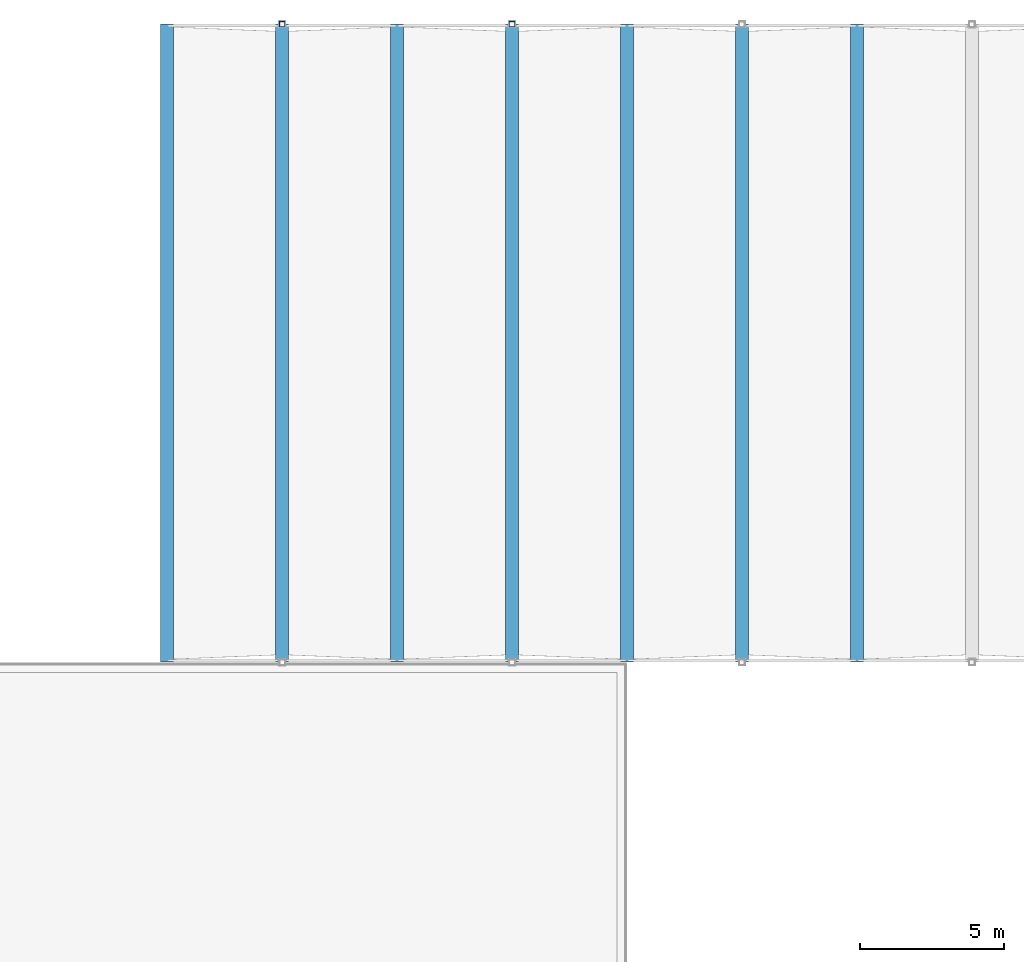
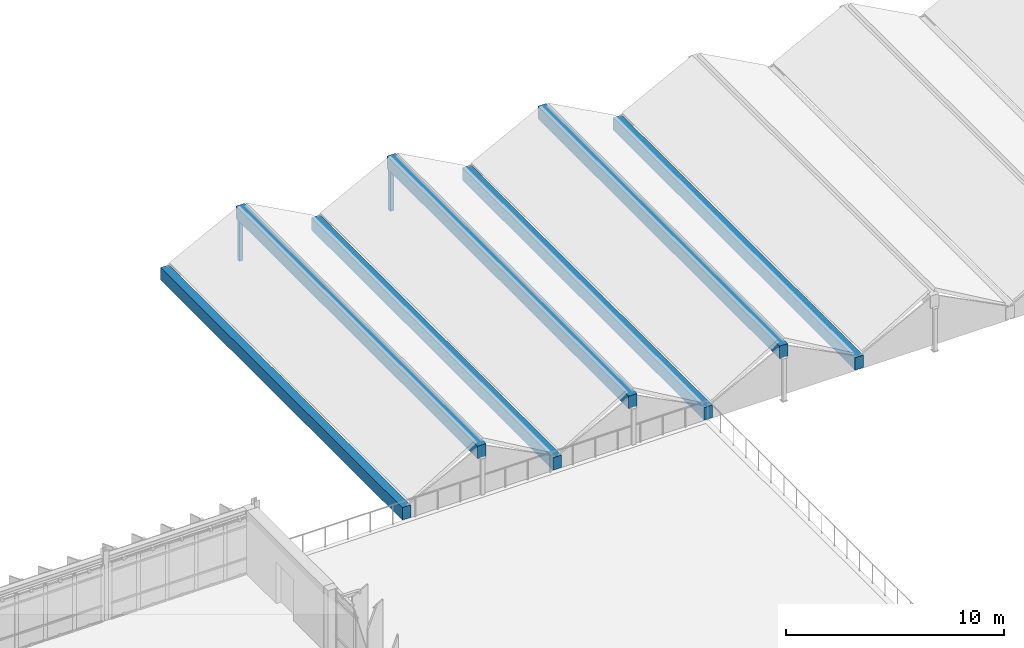
# One storey, part 16 of 35: 7 beams, 2 members.
"""IFC4 building model written with IfcOpenShell, lengths in metres."""

from ifc_helpers import new_model, si_unit, direction, frame, origin, origin_2d, place, context, subcontext, project, spatial, rectangle, hollow_rectangle, extrude, material, material_profile, profile_set, type_object, element, save


model = new_model("IFC4")

# Units and contexts
model_context = context("Model", 3, precision=1e-05, world=origin(), true_north=direction((0.0, 1.0)))
body_context = subcontext(model_context, "Body", "Model", "MODEL_VIEW")
ifc_project = project(units=[si_unit("LENGTHUNIT", "METRE"), si_unit("AREAUNIT", "SQUARE_METRE"), si_unit("VOLUMEUNIT", "CUBIC_METRE"), si_unit("PLANEANGLEUNIT", "RADIAN"), si_unit("MASSUNIT", "GRAM", prefix="KILO")], contexts=[model_context])

# Site, building, storey
site_placement = place(None, origin())
site = spatial("IfcSite", under=ifc_project, at=site_placement, CompositionType="ELEMENT")
building_placement = place(site_placement, origin())
building = spatial("IfcBuilding", under=site, at=building_placement, Name="Valkorina Park Police Headquarters", CompositionType="ELEMENT")
storey_placement = place(building_placement, frame((0.0, 0.0, 27.199951171875)))
storey = spatial("IfcBuildingStorey", under=building, at=storey_placement, Name="L07", CompositionType="ELEMENT", Elevation=27.199951171875)

# Beams
ifc_material_1 = material(Name="Concrete C40/50", Category="concrete")
ifc_material_profile_1 = material_profile(ifc_material_1, rectangle(XDim=0.449951171875, YDim=0.699951171875, at=origin_2d()), Name="RC RIDGE 450x700")
ifc_profile_set_1 = profile_set([ifc_material_profile_1], Name="Concrete C40/50")
beam_type = type_object("IfcBeamType", Name="BM-RC-RIDGE-EXT", PredefinedType="BEAM", material=ifc_profile_set_1)
for number, where, z_axis, x_axis, name in (
    (1, (84.800048828125, 59.199951171875, 2.393798828125), (0.0, 1.0, 0.0), (-1.0, 0.0, 0.0), "V2 Command Hall Folded-Plate Ridge Beam 1"),
    (2, (80.800048828125, 59.199951171875, 0.35009765625), (0.0, 1.0, 0.0), (-1.0, 0.0, 0.0), "V2 Command Hall Folded-Plate Valley Beam 1.1"),
    (3, (92.800048828125, 59.199951171875, 2.393798828125), (0.0, 1.0, 0.0), (-1.0, 0.0, 0.0), "V2 Command Hall Folded-Plate Ridge Beam 2"),
    (4, (88.800048828125, 59.199951171875, 0.35009765625), (0.0, 1.0, 0.0), (-1.0, 0.0, 0.0), "V2 Command Hall Folded-Plate Valley Beam 2.1"),
    (5, (100.800048828125, 59.199951171875, 2.393798828125), (0.0, 1.0, 0.0), (-1.0, 0.0, 0.0), "V2 Command Hall Folded-Plate Ridge Beam 3"),
    (6, (96.800048828125, 59.199951171875, 0.35009765625), (0.0, 1.0, 0.0), (-1.0, 0.0, 0.0), "V2 Command Hall Folded-Plate Valley Beam 3.1"),
    (7, (104.800048828125, 59.199951171875, 0.35009765625), (0.0, 1.0, 0.0), (-1.0, 0.0, 0.0), "V2 Command Hall Folded-Plate Valley Beam 4.1"),
):
    element("IfcBeam", number, at=place(storey_placement, frame(where, z_axis=z_axis, x_axis=x_axis)), inside=storey, type_object=beam_type, Name=name, PredefinedType="BEAM", context=body_context, shape_type="SweptSolid", body=[
        extrude(rectangle(XDim=0.449951171875, YDim=0.699951171875, at=origin_2d()), origin(), (0.0, 0.0, 1.0), 22.199951171875),
    ])

# Members
ifc_material_2 = material(Name="Steel S355", Category="steel")
ifc_material_profile_2 = material_profile(ifc_material_2, hollow_rectangle(XDim=0.199951171875, YDim=0.199951171875, WallThickness=0.012451171875, at=origin_2d()), Name="SHS 200x200x12.5")
ifc_profile_set_2 = profile_set([ifc_material_profile_2], Name="Steel S355")
member_type = type_object("IfcMemberType", Name="MB-S355-SHS200-GABLE", PredefinedType="BRACE", material=ifc_profile_set_2)
for number, where, z_axis, x_axis, name in (
    (8, (84.800048828125, 81.39990234375, -0.349853515625), (0.0, 0.0, 1.0), (1.0, 0.0, 0.0), "V2 Gable Ridge Strut 1N"),
    (9, (92.800048828125, 81.39990234375, -0.349853515625), (0.0, 0.0, 1.0), (1.0, 0.0, 0.0), "V2 Gable Ridge Strut 2N"),
):
    element("IfcMember", number, at=place(storey_placement, frame(where, z_axis=z_axis, x_axis=x_axis)), inside=storey, type_object=member_type, Name=name, PredefinedType="BRACE", context=body_context, shape_type="SweptSolid", body=[
        extrude(hollow_rectangle(XDim=0.199951171875, YDim=0.199951171875, WallThickness=0.012451171875, at=origin_2d()), origin(), (0.0, 0.0, 1.0), 2.413818359375),
    ])

save(model, "model.ifc")
